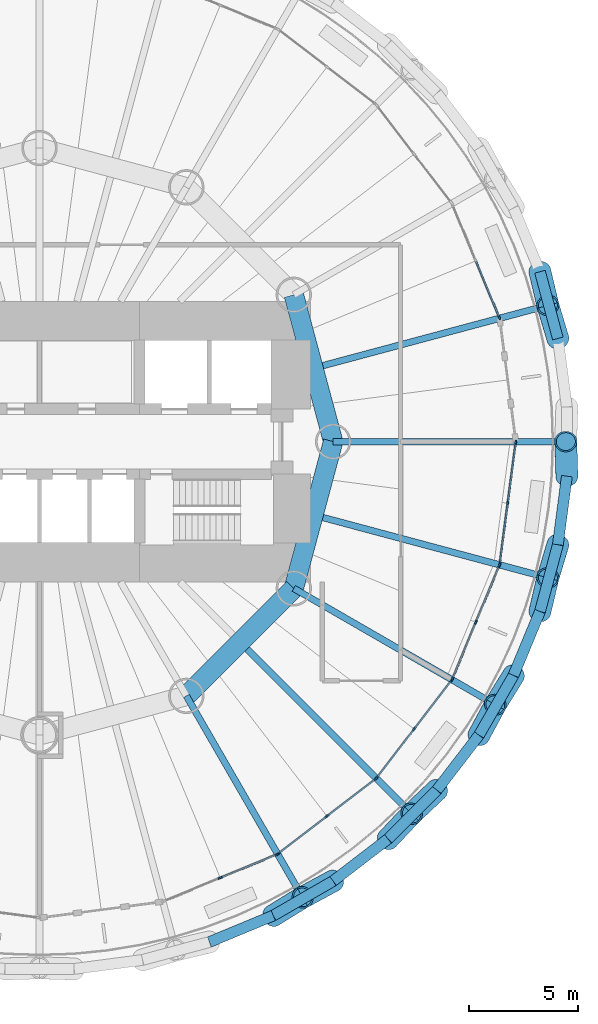
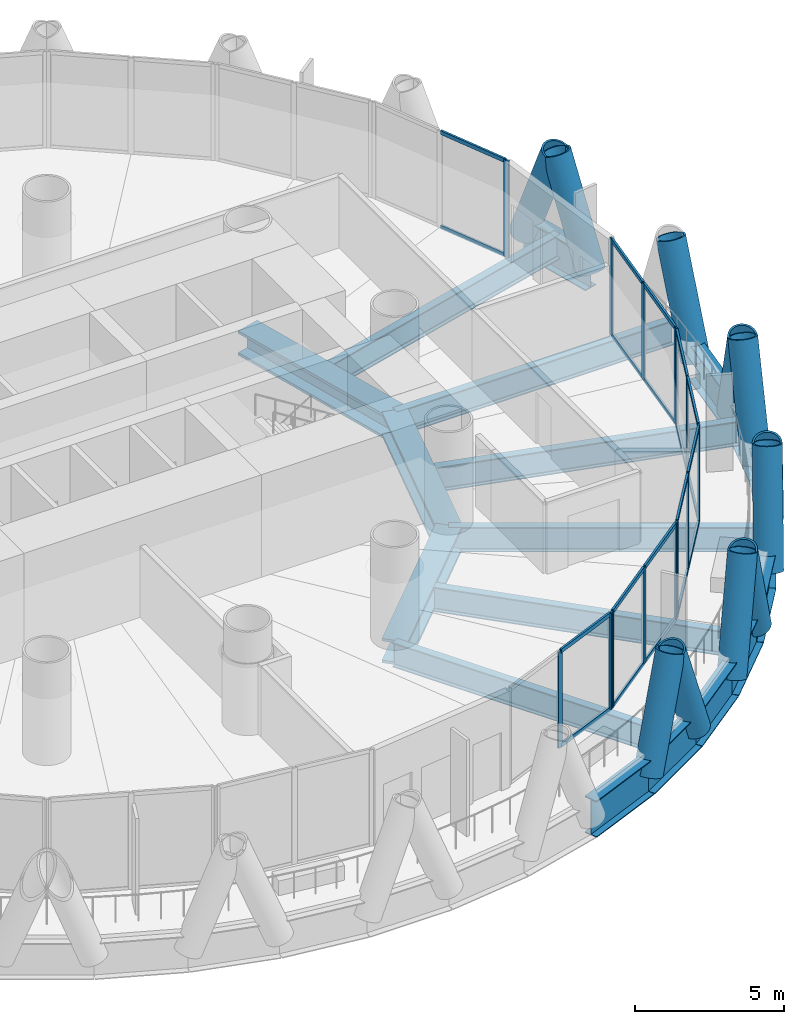
# One storey, part 4 of 15: 46 members, 19 beams, 6 elements without a shape of their own.
"""IFC4 building model written with IfcOpenShell, lengths in metres."""

from ifc_helpers import new_model, si_unit, direction, frame, origin, origin_2d, place, context, subcontext, project, spatial, rectangle, hollow_circle, i_section, extrude, material, material_profile, profile_set, type_object, element, aggregate, save


model = new_model("IFC4")

# Units and contexts
model_context = context("Model", 3, precision=1e-05, world=origin(), true_north=direction((0.0, 1.0)))
body_context = subcontext(model_context, "Body", "Model", "MODEL_VIEW")
ifc_project = project(units=[si_unit("LENGTHUNIT", "METRE"), si_unit("AREAUNIT", "SQUARE_METRE"), si_unit("VOLUMEUNIT", "CUBIC_METRE"), si_unit("PLANEANGLEUNIT", "RADIAN"), si_unit("MASSUNIT", "GRAM", prefix="KILO")], contexts=[model_context])

# Site, building, storey
site_placement = place(None, origin())
site = spatial("IfcSite", under=ifc_project, at=site_placement, CompositionType="ELEMENT")
building_placement = place(site_placement, origin())
building = spatial("IfcBuilding", under=site, at=building_placement, Name="Qaws Media Tower", CompositionType="ELEMENT")
storey_placement = place(building_placement, frame((0.0, 0.0, 189.800048828125)))
storey = spatial("IfcBuildingStorey", under=building, at=storey_placement, Name="L43", CompositionType="ELEMENT", Elevation=189.800048828125)

# Curtain wall, member
ifc_material_1 = material(Name="Aluminium and clear glass", Category="aluminium")
curtain_wall_type = type_object("IfcCurtainWallType", Name="Unitised curtain wall CW-B", PredefinedType="NOTDEFINED", material=ifc_material_1)
curtain_wall_1_placement = place(storey_placement, origin())
curtain_wall_1 = element("IfcCurtainWall", 1, at=curtain_wall_1_placement, inside=storey, type_object=curtain_wall_type, Name="CWB curtain wall L43-02", PredefinedType="NOTDEFINED")
ifc_material_2 = material(Name="Aluminium mullion", Category="aluminium")
ifc_material_profile_1 = material_profile(ifc_material_2, rectangle(XDim=0.080078125, YDim=0.199951171875, at=origin_2d()), Name="80x200")
ifc_profile_set_1 = profile_set([ifc_material_profile_1], Name="Aluminium mullion")
member_type_1 = type_object("IfcMemberType", Name="Curtain wall mullion 80x200", PredefinedType="MULLION", material=ifc_profile_set_1)
member_1_placement = place(storey_placement, frame((81.138427734375, 55.705078125, 0.0), z_axis=(0.0, 0.0, 1.0), x_axis=(-0.923879488556, -0.382683538482, 0.0)))
member_1 = element("IfcMember", 2, at=member_1_placement, type_object=member_type_1, Name="CWB mullion 1", PredefinedType="MULLION", context=body_context, shape_type="SweptSolid", body=[
    extrude(rectangle(XDim=0.080078125, YDim=0.199951171875, at=origin_2d()), origin(), (0.0, 0.0, 1.0), 3.949951171875),
])

# Curtain wall, members
curtain_wall_2_placement = place(storey_placement, origin())
curtain_wall_2 = element("IfcCurtainWall", 3, at=curtain_wall_2_placement, inside=storey, type_object=curtain_wall_type, Name="CWB curtain wall L43-20", PredefinedType="NOTDEFINED")
member_2_placement = place(storey_placement, frame((68.30908203125, 29.940185546875, 0.0), z_axis=(0.0, 0.0, 1.0), x_axis=(-0.382683538482, 0.923879488556, 0.0)))
member_2 = element("IfcMember", 4, at=member_2_placement, type_object=member_type_1, Name="CWB mullion 2", PredefinedType="MULLION", context=body_context, shape_type="SweptSolid", body=[
    extrude(rectangle(XDim=0.080078125, YDim=0.199951171875, at=origin_2d()), origin(), (0.0, 0.0, 1.0), 3.949951171875),
])
member_3_placement = place(storey_placement, frame((70.9130859375, 31.018798828125, 0.0), z_axis=(0.0, 0.0, 1.0), x_axis=(-0.382683538482, 0.923879488556, 0.0)))
member_3 = element("IfcMember", 5, at=member_3_placement, type_object=member_type_1, Name="CWB mullion 3", PredefinedType="MULLION", context=body_context, shape_type="SweptSolid", body=[
    extrude(rectangle(XDim=0.080078125, YDim=0.199951171875, at=origin_2d()), origin(), (0.0, 0.0, 1.0), 3.949951171875),
])

curtain_wall_3_placement = place(storey_placement, origin())
curtain_wall_3 = element("IfcCurtainWall", 6, at=curtain_wall_3_placement, inside=storey, type_object=curtain_wall_type, Name="CWB curtain wall L43-21", PredefinedType="NOTDEFINED")
member_4_placement = place(storey_placement, frame((70.981689453125, 31.058349609375, 0.0), z_axis=(0.0, 0.0, 1.0), x_axis=(-0.608761295527, 0.793353442715, 0.0)))
member_4 = element("IfcMember", 7, at=member_4_placement, type_object=member_type_1, Name="CWB mullion 1", PredefinedType="MULLION", context=body_context, shape_type="SweptSolid", body=[
    extrude(rectangle(XDim=0.080078125, YDim=0.199951171875, at=origin_2d()), origin(), (0.0, 0.0, 1.0), 3.949951171875),
])
member_5_placement = place(storey_placement, frame((73.2177734375, 32.774169921875, 0.0), z_axis=(0.0, 0.0, 1.0), x_axis=(-0.608761295527, 0.793353442715, 0.0)))
member_5 = element("IfcMember", 8, at=member_5_placement, type_object=member_type_1, Name="CWB mullion 2", PredefinedType="MULLION", context=body_context, shape_type="SweptSolid", body=[
    extrude(rectangle(XDim=0.080078125, YDim=0.199951171875, at=origin_2d()), origin(), (0.0, 0.0, 1.0), 3.949951171875),
])
member_6_placement = place(storey_placement, frame((75.453857421875, 34.489990234375, 0.0), z_axis=(0.0, 0.0, 1.0), x_axis=(-0.608761295527, 0.793353442715, 0.0)))
member_6 = element("IfcMember", 9, at=member_6_placement, type_object=member_type_1, Name="CWB mullion 3", PredefinedType="MULLION", context=body_context, shape_type="SweptSolid", body=[
    extrude(rectangle(XDim=0.080078125, YDim=0.199951171875, at=origin_2d()), origin(), (0.0, 0.0, 1.0), 3.949951171875),
])

curtain_wall_4_placement = place(storey_placement, origin())
curtain_wall_4 = element("IfcCurtainWall", 10, at=curtain_wall_4_placement, inside=storey, type_object=curtain_wall_type, Name="CWB curtain wall L43-22", PredefinedType="NOTDEFINED")
member_7_placement = place(storey_placement, frame((75.510009765625, 34.546142578125, 0.0), z_axis=(0.0, 0.0, 1.0), x_axis=(-0.793353442715, 0.608761295527, 0.0)))
member_7 = element("IfcMember", 11, at=member_7_placement, type_object=member_type_1, Name="CWB mullion 1", PredefinedType="MULLION", context=body_context, shape_type="SweptSolid", body=[
    extrude(rectangle(XDim=0.080078125, YDim=0.199951171875, at=origin_2d()), origin(), (0.0, 0.0, 1.0), 3.949951171875),
])
member_8_placement = place(storey_placement, frame((77.225830078125, 36.7822265625, 0.0), z_axis=(0.0, 0.0, 1.0), x_axis=(-0.793353442715, 0.608761295527, 0.0)))
member_8 = element("IfcMember", 12, at=member_8_placement, type_object=member_type_1, Name="CWB mullion 2", PredefinedType="MULLION", context=body_context, shape_type="SweptSolid", body=[
    extrude(rectangle(XDim=0.080078125, YDim=0.199951171875, at=origin_2d()), origin(), (0.0, 0.0, 1.0), 3.949951171875),
])
member_9_placement = place(storey_placement, frame((78.941650390625, 39.018310546875, 0.0), z_axis=(0.0, 0.0, 1.0), x_axis=(-0.793353442715, 0.608761295527, 0.0)))
member_9 = element("IfcMember", 13, at=member_9_placement, type_object=member_type_1, Name="CWB mullion 3", PredefinedType="MULLION", context=body_context, shape_type="SweptSolid", body=[
    extrude(rectangle(XDim=0.080078125, YDim=0.199951171875, at=origin_2d()), origin(), (0.0, 0.0, 1.0), 3.949951171875),
])

curtain_wall_5_placement = place(storey_placement, origin())
curtain_wall_5 = element("IfcCurtainWall", 14, at=curtain_wall_5_placement, inside=storey, type_object=curtain_wall_type, Name="CWB curtain wall L43-23", PredefinedType="NOTDEFINED")
member_10_placement = place(storey_placement, frame((78.981201171875, 39.0869140625, 0.0), z_axis=(0.0, 0.0, 1.0), x_axis=(-0.923879488556, 0.382683538482, 0.0)))
member_10 = element("IfcMember", 15, at=member_10_placement, type_object=member_type_1, Name="CWB mullion 1", PredefinedType="MULLION", context=body_context, shape_type="SweptSolid", body=[
    extrude(rectangle(XDim=0.080078125, YDim=0.199951171875, at=origin_2d()), origin(), (0.0, 0.0, 1.0), 3.949951171875),
])
member_11_placement = place(storey_placement, frame((80.059814453125, 41.69091796875, 0.0), z_axis=(0.0, 0.0, 1.0), x_axis=(-0.923879488556, 0.382683538482, 0.0)))
member_11 = element("IfcMember", 16, at=member_11_placement, type_object=member_type_1, Name="CWB mullion 2", PredefinedType="MULLION", context=body_context, shape_type="SweptSolid", body=[
    extrude(rectangle(XDim=0.080078125, YDim=0.199951171875, at=origin_2d()), origin(), (0.0, 0.0, 1.0), 3.949951171875),
])
member_12_placement = place(storey_placement, frame((81.138427734375, 44.294921875, 0.0), z_axis=(0.0, 0.0, 1.0), x_axis=(-0.923879488556, 0.382683538482, 0.0)))
member_12 = element("IfcMember", 17, at=member_12_placement, type_object=member_type_1, Name="CWB mullion 3", PredefinedType="MULLION", context=body_context, shape_type="SweptSolid", body=[
    extrude(rectangle(XDim=0.080078125, YDim=0.199951171875, at=origin_2d()), origin(), (0.0, 0.0, 1.0), 3.949951171875),
])

curtain_wall_6_placement = place(storey_placement, origin())
curtain_wall_6 = element("IfcCurtainWall", 18, at=curtain_wall_6_placement, inside=storey, type_object=curtain_wall_type, Name="CWB curtain wall L43-24", PredefinedType="NOTDEFINED")
member_13_placement = place(storey_placement, frame((81.158935546875, 44.37158203125, 0.0), z_axis=(0.0, 0.0, 1.0), x_axis=(-0.991444870263, 0.1305261247, 0.0)))
member_13 = element("IfcMember", 19, at=member_13_placement, type_object=member_type_1, Name="CWB mullion 1", PredefinedType="MULLION", context=body_context, shape_type="SweptSolid", body=[
    extrude(rectangle(XDim=0.080078125, YDim=0.199951171875, at=origin_2d()), origin(), (0.0, 0.0, 1.0), 3.949951171875),
])
member_14_placement = place(storey_placement, frame((81.52685546875, 47.166015625, 0.0), z_axis=(0.0, 0.0, 1.0), x_axis=(-0.991444870263, 0.1305261247, 0.0)))
member_14 = element("IfcMember", 20, at=member_14_placement, type_object=member_type_1, Name="CWB mullion 2", PredefinedType="MULLION", context=body_context, shape_type="SweptSolid", body=[
    extrude(rectangle(XDim=0.080078125, YDim=0.199951171875, at=origin_2d()), origin(), (0.0, 0.0, 1.0), 3.949951171875),
])
member_15_placement = place(storey_placement, frame((81.894775390625, 49.96044921875, 0.0), z_axis=(0.0, 0.0, 1.0), x_axis=(-0.991444870263, 0.1305261247, 0.0)))
member_15 = element("IfcMember", 21, at=member_15_placement, type_object=member_type_1, Name="CWB mullion 3", PredefinedType="MULLION", context=body_context, shape_type="SweptSolid", body=[
    extrude(rectangle(XDim=0.080078125, YDim=0.199951171875, at=origin_2d()), origin(), (0.0, 0.0, 1.0), 3.949951171875),
])

# Member
ifc_material_3 = material(Name="Aluminium transom", Category="aluminium")
ifc_material_profile_2 = material_profile(ifc_material_3, rectangle(XDim=0.080078125, YDim=0.159912109375, at=origin_2d()), Name="80x160")
ifc_profile_set_2 = profile_set([ifc_material_profile_2], Name="Aluminium transom")
member_type_2 = type_object("IfcMemberType", Name="Curtain wall transom 80x160", PredefinedType="USERDEFINED", material=ifc_profile_set_2)
member_16_placement = place(storey_placement, frame((81.123046875, 55.741943359375, 0.0400390625), z_axis=(-0.382614237336, 0.923908190995, 0.0), x_axis=(-0.923908190995, -0.382614237336, 0.0)))
member_16 = element("IfcMember", 22, at=member_16_placement, type_object=member_type_2, Name="CWB transom 1.1", ObjectType="TRANSOM", PredefinedType="USERDEFINED", context=body_context, shape_type="SweptSolid", body=[
    extrude(rectangle(XDim=0.080078125, YDim=0.159912109375, at=origin_2d()), origin(), (0.0, 0.0, 1.0), 2.73876953125),
])

member_17_placement = place(storey_placement, frame((81.123046875, 55.741943359375, 3.909912109375), z_axis=(-0.382614237336, 0.923908190995, 0.0), x_axis=(-0.923908190995, -0.382614237336, 0.0)))
member_17 = element("IfcMember", 23, at=member_17_placement, type_object=member_type_2, Name="CWB transom 1.2", ObjectType="TRANSOM", PredefinedType="USERDEFINED", context=body_context, shape_type="SweptSolid", body=[
    extrude(rectangle(XDim=0.080078125, YDim=0.159912109375, at=origin_2d()), origin(), (0.0, 0.0, 1.0), 2.73876953125),
])

aggregate(curtain_wall_1, [member_1, member_16, member_17])

member_18_placement = place(storey_placement, frame((68.345947265625, 29.955322265625, 0.0400390625), z_axis=(0.923863619066, 0.382721848562, 0.0), x_axis=(-0.382721848562, 0.923863619066, 0.0)))
member_18 = element("IfcMember", 24, at=member_18_placement, type_object=member_type_2, Name="CWB transom 2.1", ObjectType="TRANSOM", PredefinedType="USERDEFINED", context=body_context, shape_type="SweptSolid", body=[
    extrude(rectangle(XDim=0.080078125, YDim=0.159912109375, at=origin_2d()), origin(), (0.0, 0.0, 1.0), 2.738525390625),
])

member_19_placement = place(storey_placement, frame((68.345947265625, 29.955322265625, 3.909912109375), z_axis=(0.923863619066, 0.382721848562, 0.0), x_axis=(-0.382721848562, 0.923863619066, 0.0)))
member_19 = element("IfcMember", 25, at=member_19_placement, type_object=member_type_2, Name="CWB transom 2.2", ObjectType="TRANSOM", PredefinedType="USERDEFINED", context=body_context, shape_type="SweptSolid", body=[
    extrude(rectangle(XDim=0.080078125, YDim=0.159912109375, at=origin_2d()), origin(), (0.0, 0.0, 1.0), 2.738525390625),
])

aggregate(curtain_wall_2, [member_2, member_3, member_18, member_19])

member_20_placement = place(storey_placement, frame((71.013427734375, 31.082763671875, 0.0400390625), z_axis=(0.793372408644, 0.608736577842, 0.0), x_axis=(-0.608736577842, 0.793372408644, 0.0)))
member_20 = element("IfcMember", 26, at=member_20_placement, type_object=member_type_2, Name="CWB transom 1.1", ObjectType="TRANSOM", PredefinedType="USERDEFINED", context=body_context, shape_type="SweptSolid", body=[
    extrude(rectangle(XDim=0.080078125, YDim=0.159912109375, at=origin_2d()), origin(), (0.0, 0.0, 1.0), 2.738525390625),
])

member_21_placement = place(storey_placement, frame((71.013427734375, 31.082763671875, 3.909912109375), z_axis=(0.793372408644, 0.608736577842, 0.0), x_axis=(-0.608736577842, 0.793372408644, 0.0)))
member_21 = element("IfcMember", 27, at=member_21_placement, type_object=member_type_2, Name="CWB transom 1.2", ObjectType="TRANSOM", PredefinedType="USERDEFINED", context=body_context, shape_type="SweptSolid", body=[
    extrude(rectangle(XDim=0.080078125, YDim=0.159912109375, at=origin_2d()), origin(), (0.0, 0.0, 1.0), 2.738525390625),
])

member_22_placement = place(storey_placement, frame((73.24951171875, 32.798583984375, 0.0400390625), z_axis=(0.793372408644, 0.608736577842, 0.0), x_axis=(-0.608736577842, 0.793372408644, 0.0)))
member_22 = element("IfcMember", 28, at=member_22_placement, type_object=member_type_2, Name="CWB transom 2.1", ObjectType="TRANSOM", PredefinedType="USERDEFINED", context=body_context, shape_type="SweptSolid", body=[
    extrude(rectangle(XDim=0.080078125, YDim=0.159912109375, at=origin_2d()), origin(), (0.0, 0.0, 1.0), 2.738525390625),
])

member_23_placement = place(storey_placement, frame((73.24951171875, 32.798583984375, 3.909912109375), z_axis=(0.793372408644, 0.608736577842, 0.0), x_axis=(-0.608736577842, 0.793372408644, 0.0)))
member_23 = element("IfcMember", 29, at=member_23_placement, type_object=member_type_2, Name="CWB transom 2.2", ObjectType="TRANSOM", PredefinedType="USERDEFINED", context=body_context, shape_type="SweptSolid", body=[
    extrude(rectangle(XDim=0.080078125, YDim=0.159912109375, at=origin_2d()), origin(), (0.0, 0.0, 1.0), 2.738525390625),
])

aggregate(curtain_wall_3, [member_4, member_5, member_6, member_20, member_21, member_22, member_23])

member_24_placement = place(storey_placement, frame((75.534423828125, 34.577880859375, 0.0400390625), z_axis=(0.608736577842, 0.793372408644, 0.0), x_axis=(-0.793372408644, 0.608736577842, 0.0)))
member_24 = element("IfcMember", 30, at=member_24_placement, type_object=member_type_2, Name="CWB transom 1.1", ObjectType="TRANSOM", PredefinedType="USERDEFINED", context=body_context, shape_type="SweptSolid", body=[
    extrude(rectangle(XDim=0.080078125, YDim=0.159912109375, at=origin_2d()), origin(), (0.0, 0.0, 1.0), 2.738525390625),
])

member_25_placement = place(storey_placement, frame((75.534423828125, 34.577880859375, 3.909912109375), z_axis=(0.608736577842, 0.793372408644, 0.0), x_axis=(-0.793372408644, 0.608736577842, 0.0)))
member_25 = element("IfcMember", 31, at=member_25_placement, type_object=member_type_2, Name="CWB transom 1.2", ObjectType="TRANSOM", PredefinedType="USERDEFINED", context=body_context, shape_type="SweptSolid", body=[
    extrude(rectangle(XDim=0.080078125, YDim=0.159912109375, at=origin_2d()), origin(), (0.0, 0.0, 1.0), 2.738525390625),
])

member_26_placement = place(storey_placement, frame((77.250244140625, 36.81396484375, 0.0400390625), z_axis=(0.608736577842, 0.793372408644, 0.0), x_axis=(-0.793372408644, 0.608736577842, 0.0)))
member_26 = element("IfcMember", 32, at=member_26_placement, type_object=member_type_2, Name="CWB transom 2.1", ObjectType="TRANSOM", PredefinedType="USERDEFINED", context=body_context, shape_type="SweptSolid", body=[
    extrude(rectangle(XDim=0.080078125, YDim=0.159912109375, at=origin_2d()), origin(), (0.0, 0.0, 1.0), 2.738525390625),
])

member_27_placement = place(storey_placement, frame((77.250244140625, 36.81396484375, 3.909912109375), z_axis=(0.608736577842, 0.793372408644, 0.0), x_axis=(-0.793372408644, 0.608736577842, 0.0)))
member_27 = element("IfcMember", 33, at=member_27_placement, type_object=member_type_2, Name="CWB transom 2.2", ObjectType="TRANSOM", PredefinedType="USERDEFINED", context=body_context, shape_type="SweptSolid", body=[
    extrude(rectangle(XDim=0.080078125, YDim=0.159912109375, at=origin_2d()), origin(), (0.0, 0.0, 1.0), 2.738525390625),
])

aggregate(curtain_wall_4, [member_7, member_8, member_9, member_24, member_25, member_26, member_27])

member_28_placement = place(storey_placement, frame((78.99658203125, 39.1240234375, 0.0400390625), z_axis=(0.382721848562, 0.923863619066, 0.0), x_axis=(-0.923863619066, 0.382721848562, 0.0)))
member_28 = element("IfcMember", 34, at=member_28_placement, type_object=member_type_2, Name="CWB transom 1.1", ObjectType="TRANSOM", PredefinedType="USERDEFINED", context=body_context, shape_type="SweptSolid", body=[
    extrude(rectangle(XDim=0.080078125, YDim=0.159912109375, at=origin_2d()), origin(), (0.0, 0.0, 1.0), 2.738525390625),
])

member_29_placement = place(storey_placement, frame((78.99658203125, 39.1240234375, 3.909912109375), z_axis=(0.382721848562, 0.923863619066, 0.0), x_axis=(-0.923863619066, 0.382721848562, 0.0)))
member_29 = element("IfcMember", 35, at=member_29_placement, type_object=member_type_2, Name="CWB transom 1.2", ObjectType="TRANSOM", PredefinedType="USERDEFINED", context=body_context, shape_type="SweptSolid", body=[
    extrude(rectangle(XDim=0.080078125, YDim=0.159912109375, at=origin_2d()), origin(), (0.0, 0.0, 1.0), 2.738525390625),
])

member_30_placement = place(storey_placement, frame((80.0751953125, 41.727783203125, 0.0400390625), z_axis=(0.382614237336, 0.923908190995, 0.0), x_axis=(-0.923908190995, 0.382614237336, 0.0)))
member_30 = element("IfcMember", 36, at=member_30_placement, type_object=member_type_2, Name="CWB transom 2.1", ObjectType="TRANSOM", PredefinedType="USERDEFINED", context=body_context, shape_type="SweptSolid", body=[
    extrude(rectangle(XDim=0.080078125, YDim=0.159912109375, at=origin_2d()), origin(), (0.0, 0.0, 1.0), 2.73876953125),
])

member_31_placement = place(storey_placement, frame((80.0751953125, 41.727783203125, 3.909912109375), z_axis=(0.382614237336, 0.923908190995, 0.0), x_axis=(-0.923908190995, 0.382614237336, 0.0)))
member_31 = element("IfcMember", 37, at=member_31_placement, type_object=member_type_2, Name="CWB transom 2.2", ObjectType="TRANSOM", PredefinedType="USERDEFINED", context=body_context, shape_type="SweptSolid", body=[
    extrude(rectangle(XDim=0.080078125, YDim=0.159912109375, at=origin_2d()), origin(), (0.0, 0.0, 1.0), 2.73876953125),
])

aggregate(curtain_wall_5, [member_10, member_11, member_12, member_28, member_29, member_30, member_31])

member_32_placement = place(storey_placement, frame((81.164306640625, 44.4111328125, 0.0400390625), z_axis=(0.130516778295, 0.991446100695, 0.0), x_axis=(-0.991446100695, 0.130516778295, 0.0)))
member_32 = element("IfcMember", 38, at=member_32_placement, type_object=member_type_2, Name="CWB transom 1.1", ObjectType="TRANSOM", PredefinedType="USERDEFINED", context=body_context, shape_type="SweptSolid", body=[
    extrude(rectangle(XDim=0.080078125, YDim=0.159912109375, at=origin_2d()), origin(), (0.0, 0.0, 1.0), 2.738525390625),
])

member_33_placement = place(storey_placement, frame((81.164306640625, 44.4111328125, 3.909912109375), z_axis=(0.130516778295, 0.991446100695, 0.0), x_axis=(-0.991446100695, 0.130516778295, 0.0)))
member_33 = element("IfcMember", 39, at=member_33_placement, type_object=member_type_2, Name="CWB transom 1.2", ObjectType="TRANSOM", PredefinedType="USERDEFINED", context=body_context, shape_type="SweptSolid", body=[
    extrude(rectangle(XDim=0.080078125, YDim=0.159912109375, at=origin_2d()), origin(), (0.0, 0.0, 1.0), 2.738525390625),
])

member_34_placement = place(storey_placement, frame((81.5322265625, 47.20556640625, 0.0400390625), z_axis=(0.130516778295, 0.991446100695, 0.0), x_axis=(-0.991446100695, 0.130516778295, 0.0)))
member_34 = element("IfcMember", 40, at=member_34_placement, type_object=member_type_2, Name="CWB transom 2.1", ObjectType="TRANSOM", PredefinedType="USERDEFINED", context=body_context, shape_type="SweptSolid", body=[
    extrude(rectangle(XDim=0.080078125, YDim=0.159912109375, at=origin_2d()), origin(), (0.0, 0.0, 1.0), 2.738525390625),
])

member_35_placement = place(storey_placement, frame((81.5322265625, 47.20556640625, 3.909912109375), z_axis=(0.130516778295, 0.991446100695, 0.0), x_axis=(-0.991446100695, 0.130516778295, 0.0)))
member_35 = element("IfcMember", 41, at=member_35_placement, type_object=member_type_2, Name="CWB transom 2.2", ObjectType="TRANSOM", PredefinedType="USERDEFINED", context=body_context, shape_type="SweptSolid", body=[
    extrude(rectangle(XDim=0.080078125, YDim=0.159912109375, at=origin_2d()), origin(), (0.0, 0.0, 1.0), 2.738525390625),
])

aggregate(curtain_wall_6, [member_13, member_14, member_15, member_32, member_33, member_34, member_35])

# Members
ifc_material_4 = material(Name="Steel S460", Category="steel")
ifc_material_profile_3 = material_profile(ifc_material_4, hollow_circle(Radius=0.508056640625, WallThickness=0.070068359375, at=origin_2d()), Name="CHS 1016x70")
ifc_profile_set_3 = profile_set([ifc_material_profile_3], Name="Steel S460")
member_type_3 = type_object("IfcMemberType", Name="Diagrid member CHS 1016x70", PredefinedType="USERDEFINED", material=ifc_profile_set_3)
for number, where, z_axis, x_axis, name in (
    (42, (83.8330078125, 54.74072265625, -0.91015625), (-0.103818449578, 0.345525971194, 0.932648665231), (-0.957703638268, -0.287756392194, 0.0), "DG3 diagrid L43 A01"),
    (43, (83.010498046875, 57.81103515625, -0.91015625), (0.082821332267, -0.351173528591, 0.93264021988), (0.973298231659, 0.229544227217, 0.0), "DG3 diagrid L43 B02"),
    (44, (70.74755859375, 28.2060546875, -0.91015625), (0.306907804695, 0.189739933408, 0.932634096035), (-0.52585239263, 0.850575840925, 0.0), "DG3 diagrid L43 A20"),
    (45, (76.022216796875, 31.730224609375, -0.91015625), (0.247302170828, 0.262703157273, 0.932646067628), (-0.72812786304, 0.685441328682, 0.0), "DG3 diagrid L43 A21"),
):
    element("IfcMember", number, at=place(storey_placement, frame(where, z_axis=z_axis, x_axis=x_axis)), inside=storey, type_object=member_type_3, Name=name, ObjectType="DIAGRID", PredefinedType="USERDEFINED", context=body_context, shape_type="SweptSolid", body=[
        extrude(hollow_circle(Radius=0.508056640625, WallThickness=0.070068359375, at=origin_2d()), origin(), (0.0, 0.0, 1.0), 4.406982421875),
    ])
for number, where, z_axis, x_axis, name in (
    (46, (73.500244140625, 29.795166015625, -0.91015625), (-0.317720727472, -0.170854528949, 0.932664070967), (0.473614380652, -0.880732319402, 0.0), "DG3 diagrid L43 B21"),
    (47, (80.204833984375, 36.499755859375, -0.91015625), (0.170854528949, 0.317720727472, 0.932664070967), (-0.880732319402, 0.473614380652, 0.0), "DG3 diagrid L43 A22"),
):
    element("IfcMember", number, at=place(storey_placement, frame(where, z_axis=z_axis, x_axis=x_axis)), inside=storey, type_object=member_type_3, Name=name, ObjectType="DIAGRID", PredefinedType="USERDEFINED", context=body_context, shape_type="SweptSolid", body=[
        extrude(hollow_circle(Radius=0.508056640625, WallThickness=0.070068359375, at=origin_2d()), origin(), (0.0, 0.0, 1.0), 4.40673828125),
    ])
for number, where, z_axis, x_axis, name in (
    (48, (78.269775390625, 33.977783203125, -0.91015625), (-0.262703157273, -0.247302170828, 0.932646067628), (0.685441328682, -0.72812786304, 0.0), "DG3 diagrid L43 B22"),
    (49, (83.010498046875, 42.18896484375, -0.91015625), (0.082821332267, 0.351173528591, 0.93264021988), (-0.973298231659, 0.229544227217, 0.0), "DG3 diagrid L43 A23"),
    (50, (81.7939453125, 39.25244140625, -0.91015625), (-0.189739933408, -0.306907804695, 0.932634096035), (0.850575840925, -0.52585239263, 0.0), "DG3 diagrid L43 B23"),
    (51, (84.248046875, 48.41064453125, -0.91015625), (-0.010913564111, 0.360646204892, 0.932638841683), (-0.999542446028, -0.030247290609, 0.0), "DG3 diagrid L43 A24"),
    (52, (83.8330078125, 45.25927734375, -0.91015625), (-0.103818449578, -0.345525971194, 0.932648665231), (0.957703638268, -0.287756392194, 0.0), "DG3 diagrid L43 B24"),
):
    element("IfcMember", number, at=place(storey_placement, frame(where, z_axis=z_axis, x_axis=x_axis)), inside=storey, type_object=member_type_3, Name=name, ObjectType="DIAGRID", PredefinedType="USERDEFINED", context=body_context, shape_type="SweptSolid", body=[
        extrude(hollow_circle(Radius=0.508056640625, WallThickness=0.070068359375, at=origin_2d()), origin(), (0.0, 0.0, 1.0), 4.406982421875),
    ])

# Beams
ifc_material_5 = material(Name="Steel S460", Category="steel")
ifc_material_profile_4 = material_profile(ifc_material_5, i_section(OverallWidth=0.5, OverallDepth=1.5, WebThickness=0.02001953125, FlangeThickness=0.0400390625, at=origin_2d()), Name="PG 1500x500")
ifc_profile_set_4 = profile_set([ifc_material_profile_4], Name="Steel S460")
beam_type_1 = type_object("IfcBeamType", Name="Edge ring beam PG 1500x500", PredefinedType="BEAM", material=ifc_profile_set_4)
for number, where, z_axis, x_axis, name in (
    (53, (83.8330078125, 54.74072265625, -0.91015625), (-0.258766799229, 0.965939824014, 0.0), (-0.965939824014, -0.258766799229, 0.0), "RB4 edge ring beam L43-02"),
    (54, (67.81103515625, 26.989501953125, -0.91015625), (0.923856739586, 0.382738454719, 0.0), (-0.382738454719, 0.923856739586, 0.0), "RB4 edge ring beam L43-39"),
    (55, (70.74755859375, 28.2060546875, -0.91015625), (0.866046166898, 0.499964035507, 0.0), (-0.499964035507, 0.866046166898, 0.0), "RB4 edge ring beam L43-40"),
):
    element("IfcBeam", number, at=place(storey_placement, frame(where, z_axis=z_axis, x_axis=x_axis)), inside=storey, type_object=beam_type_1, Name=name, PredefinedType="BEAM", context=body_context, shape_type="SweptSolid", body=[
        extrude(i_section(OverallWidth=0.5, OverallDepth=1.5, WebThickness=0.02001953125, FlangeThickness=0.0400390625, at=origin_2d()), origin(), (0.0, 0.0, 1.0), 3.178466796875),
    ])
beam_1_placement = place(storey_placement, frame((73.500244140625, 29.795166015625, -0.91015625), z_axis=(0.7933714333, 0.608737849016, 0.0), x_axis=(-0.608737849016, 0.7933714333, 0.0)))
element("IfcBeam", 56, at=beam_1_placement, inside=storey, type_object=beam_type_1, Name="RB4 edge ring beam L43-41", PredefinedType="BEAM", context=body_context, shape_type="SweptSolid", body=[
    extrude(i_section(OverallWidth=0.5, OverallDepth=1.5, WebThickness=0.02001953125, FlangeThickness=0.0400390625, at=origin_2d()), origin(), (0.0, 0.0, 1.0), 3.1787109375),
])
beam_2_placement = place(storey_placement, frame((76.022216796875, 31.730224609375, -0.91015625), z_axis=(0.707106781187, 0.707106781187, 0.0), x_axis=(-0.707106781187, 0.707106781187, 0.0)))
element("IfcBeam", 57, at=beam_2_placement, inside=storey, type_object=beam_type_1, Name="RB4 edge ring beam L43-42", PredefinedType="BEAM", context=body_context, shape_type="SweptSolid", body=[
    extrude(i_section(OverallWidth=0.5, OverallDepth=1.5, WebThickness=0.02001953125, FlangeThickness=0.0400390625, at=origin_2d()), origin(), (0.0, 0.0, 1.0), 3.178466796875),
])
beam_3_placement = place(storey_placement, frame((78.269775390625, 33.977783203125, -0.91015625), z_axis=(0.608737849016, 0.7933714333, 0.0), x_axis=(-0.7933714333, 0.608737849016, 0.0)))
element("IfcBeam", 58, at=beam_3_placement, inside=storey, type_object=beam_type_1, Name="RB4 edge ring beam L43-43", PredefinedType="BEAM", context=body_context, shape_type="SweptSolid", body=[
    extrude(i_section(OverallWidth=0.5, OverallDepth=1.5, WebThickness=0.02001953125, FlangeThickness=0.0400390625, at=origin_2d()), origin(), (0.0, 0.0, 1.0), 3.1787109375),
])
for number, where, z_axis, x_axis, name in (
    (59, (80.204833984375, 36.499755859375, -0.91015625), (0.499964035507, 0.866046166898, 0.0), (-0.866046166898, 0.499964035507, 0.0), "RB4 edge ring beam L43-44"),
    (60, (81.7939453125, 39.25244140625, -0.91015625), (0.382738454719, 0.923856739586, 0.0), (-0.923856739586, 0.382738454719, 0.0), "RB4 edge ring beam L43-45"),
    (61, (83.010498046875, 42.18896484375, -0.91015625), (0.258766799229, 0.965939824014, 0.0), (-0.965939824014, 0.258766799229, 0.0), "RB4 edge ring beam L43-46"),
    (62, (83.8330078125, 45.25927734375, -0.91015625), (0.130573723613, 0.991438602588, 0.0), (-0.991438602588, 0.130573723613, 0.0), "RB4 edge ring beam L43-47"),
):
    element("IfcBeam", number, at=place(storey_placement, frame(where, z_axis=z_axis, x_axis=x_axis)), inside=storey, type_object=beam_type_1, Name=name, PredefinedType="BEAM", context=body_context, shape_type="SweptSolid", body=[
        extrude(i_section(OverallWidth=0.5, OverallDepth=1.5, WebThickness=0.02001953125, FlangeThickness=0.0400390625, at=origin_2d()), origin(), (0.0, 0.0, 1.0), 3.178466796875),
    ])
ifc_material_6 = material(Name="Steel S460", Category="steel")
ifc_material_profile_5 = material_profile(ifc_material_6, i_section(OverallWidth=0.89990234375, OverallDepth=1.0, WebThickness=0.044921875, FlangeThickness=0.110107421875, at=origin_2d()), Name="PG 1000x900")
ifc_profile_set_5 = profile_set([ifc_material_profile_5], Name="Steel S460")
beam_type_2 = type_object("IfcBeamType", Name="Inner ring girder PG 1000x900", PredefinedType="BEAM", material=ifc_profile_set_5)
beam_4_placement = place(storey_placement, frame((73.5, 50.0, -0.66015625), z_axis=(-0.258810593767, 0.965928090778, 0.0), x_axis=(-0.965928090778, -0.258810593767, 0.0)))
element("IfcBeam", 63, at=beam_4_placement, inside=storey, type_object=beam_type_2, Name="B3 inner ring beam L43 I01-I02", PredefinedType="BEAM", context=body_context, shape_type="SweptSolid", body=[
    extrude(i_section(OverallWidth=0.89990234375, OverallDepth=1.0, WebThickness=0.044921875, FlangeThickness=0.110107421875, at=origin_2d()), origin(), (0.0, 0.0, 1.0), 6.988037109375),
])
beam_5_placement = place(storey_placement, frame((66.75, 38.30859375, -0.66015625), z_axis=(0.707106781187, 0.707106781187, 0.0), x_axis=(-0.707106781187, 0.707106781187, 0.0)))
element("IfcBeam", 64, at=beam_5_placement, inside=storey, type_object=beam_type_2, Name="B3 inner ring beam L43 I11-I12", PredefinedType="BEAM", context=body_context, shape_type="SweptSolid", body=[
    extrude(i_section(OverallWidth=0.89990234375, OverallDepth=1.0, WebThickness=0.044921875, FlangeThickness=0.110107421875, at=origin_2d()), origin(), (0.0, 0.0, 1.0), 6.98828125),
])
beam_6_placement = place(storey_placement, frame((71.69140625, 43.25, -0.66015625), z_axis=(0.258810593767, 0.965928090778, 0.0), x_axis=(-0.965928090778, 0.258810593767, 0.0)))
element("IfcBeam", 65, at=beam_6_placement, inside=storey, type_object=beam_type_2, Name="B3 inner ring beam L43 I12-I01", PredefinedType="BEAM", context=body_context, shape_type="SweptSolid", body=[
    extrude(i_section(OverallWidth=0.89990234375, OverallDepth=1.0, WebThickness=0.044921875, FlangeThickness=0.110107421875, at=origin_2d()), origin(), (0.0, 0.0, 1.0), 6.988037109375),
])
ifc_material_7 = material(Name="Steel S355", Category="steel")
ifc_material_profile_6 = material_profile(ifc_material_7, i_section(OverallWidth=0.302001953125, OverallDepth=1.008056640625, WebThickness=0.02099609375, FlangeThickness=0.0400390625, FilletRadius=0.030029296875, at=origin_2d()), Name="HE 1000 M")
ifc_profile_set_6 = profile_set([ifc_material_profile_6], Name="Steel S355")
beam_type_3 = type_object("IfcBeamType", Name="Radial beam HE 1000 M", PredefinedType="BEAM", material=ifc_profile_set_6)
beam_7_placement = place(storey_placement, frame((73.5, 50.0, -0.6640625), z_axis=(1.0, 0.0, 0.0), x_axis=(0.0, 1.0, 0.0)))
element("IfcBeam", 66, at=beam_7_placement, inside=storey, type_object=beam_type_3, Name="B1 radial beam L43 01", PredefinedType="BEAM", context=body_context, shape_type="SweptSolid", body=[
    extrude(i_section(OverallWidth=0.302001953125, OverallDepth=1.008056640625, WebThickness=0.02099609375, FlangeThickness=0.0400390625, FilletRadius=0.030029296875, at=origin_2d()), origin(), (0.0, 0.0, 1.0), 10.748046875),
])
beam_8_placement = place(storey_placement, frame((73.0302734375, 53.491455078125, -0.6640625), z_axis=(0.965924246074, 0.258824942473, 0.0), x_axis=(-0.258824942473, 0.965924246074, 0.0)))
element("IfcBeam", 67, at=beam_8_placement, inside=storey, type_object=beam_type_3, Name="B1 radial beam L43 02", PredefinedType="BEAM", context=body_context, shape_type="SweptSolid", body=[
    extrude(i_section(OverallWidth=0.302001953125, OverallDepth=1.008056640625, WebThickness=0.02099609375, FlangeThickness=0.0400390625, FilletRadius=0.030029296875, at=origin_2d()), origin(), (0.0, 0.0, 1.0), 10.758056640625),
])
beam_9_placement = place(storey_placement, frame((66.75, 38.30859375, -0.6640625), z_axis=(0.500008875753, -0.866020279306, 0.0), x_axis=(0.866020279306, 0.500008875753, 0.0)))
element("IfcBeam", 68, at=beam_9_placement, inside=storey, type_object=beam_type_3, Name="B1 radial beam L43 21", PredefinedType="BEAM", context=body_context, shape_type="SweptSolid", body=[
    extrude(i_section(OverallWidth=0.302001953125, OverallDepth=1.008056640625, WebThickness=0.02099609375, FlangeThickness=0.0400390625, FilletRadius=0.030029296875, at=origin_2d()), origin(), (0.0, 0.0, 1.0), 10.747802734375),
])
beam_10_placement = place(storey_placement, frame((69.538818359375, 40.461181640625, -0.6640625), z_axis=(0.707106781187, -0.707106781187, 0.0), x_axis=(0.707106781187, 0.707106781187, 0.0)))
element("IfcBeam", 69, at=beam_10_placement, inside=storey, type_object=beam_type_3, Name="B1 radial beam L43 22", PredefinedType="BEAM", context=body_context, shape_type="SweptSolid", body=[
    extrude(i_section(OverallWidth=0.302001953125, OverallDepth=1.008056640625, WebThickness=0.02099609375, FlangeThickness=0.0400390625, FilletRadius=0.030029296875, at=origin_2d()), origin(), (0.0, 0.0, 1.0), 10.758056640625),
])
beam_11_placement = place(storey_placement, frame((71.69140625, 43.25, -0.6640625), z_axis=(0.866020279306, -0.500008875753, 0.0), x_axis=(0.500008875753, 0.866020279306, 0.0)))
element("IfcBeam", 70, at=beam_11_placement, inside=storey, type_object=beam_type_3, Name="B1 radial beam L43 23", PredefinedType="BEAM", context=body_context, shape_type="SweptSolid", body=[
    extrude(i_section(OverallWidth=0.302001953125, OverallDepth=1.008056640625, WebThickness=0.02099609375, FlangeThickness=0.0400390625, FilletRadius=0.030029296875, at=origin_2d()), origin(), (0.0, 0.0, 1.0), 10.747802734375),
])
beam_12_placement = place(storey_placement, frame((73.0302734375, 46.508544921875, -0.6640625), z_axis=(0.965924246074, -0.258824942473, 0.0), x_axis=(0.258824942473, 0.965924246074, 0.0)))
element("IfcBeam", 71, at=beam_12_placement, inside=storey, type_object=beam_type_3, Name="B1 radial beam L43 24", PredefinedType="BEAM", context=body_context, shape_type="SweptSolid", body=[
    extrude(i_section(OverallWidth=0.302001953125, OverallDepth=1.008056640625, WebThickness=0.02099609375, FlangeThickness=0.0400390625, FilletRadius=0.030029296875, at=origin_2d()), origin(), (0.0, 0.0, 1.0), 10.758056640625),
])

save(model, "model.ifc")
